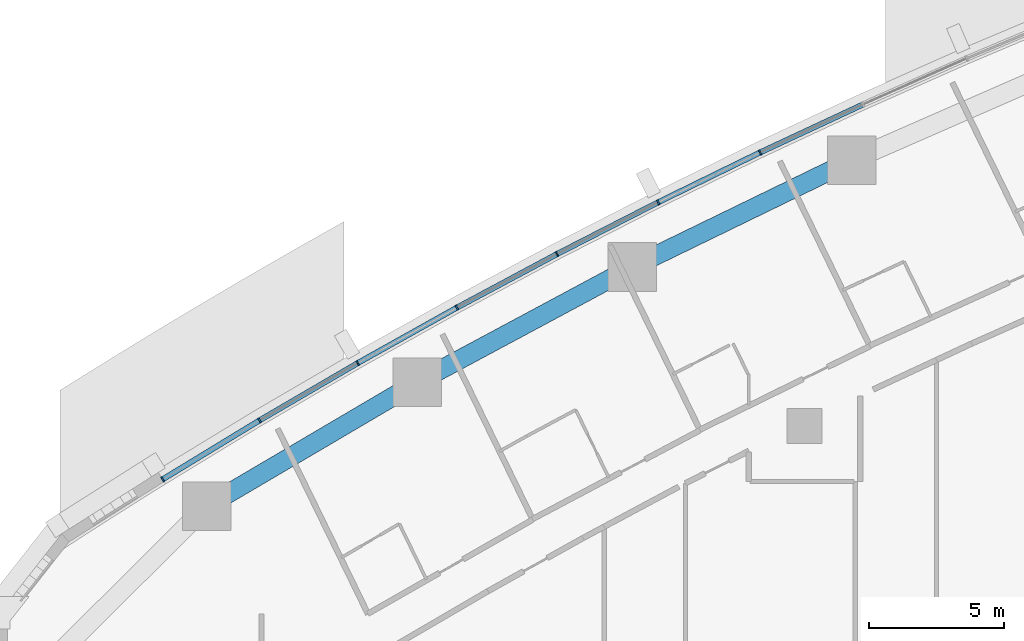
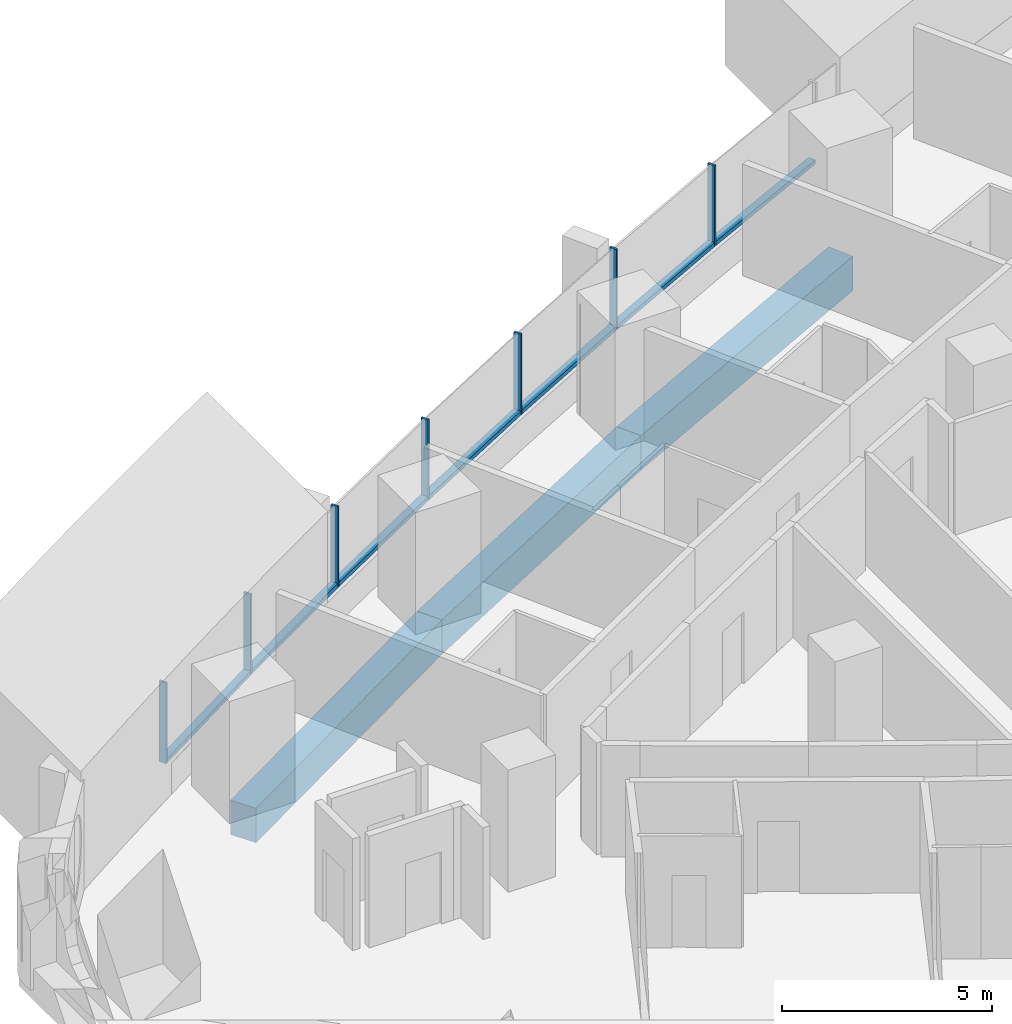
# One storey, part 5 of 19: 14 members, 3 beams, 3 elements without a shape of their own.
"""IFC4 building model written with IfcOpenShell, lengths in metres."""

from ifc_helpers import new_model, si_unit, direction, frame, origin, origin_2d, place, context, subcontext, project, spatial, rectangle, extrude, material, layer, layer_set, material_profile, profile_set, type_object, element, aggregate, save


model = new_model("IFC4")

# Units and contexts
model_context = context("Model", 3, precision=1e-05, world=origin(), true_north=direction((0.0, 1.0)))
body_context = subcontext(model_context, "Body", "Model", "MODEL_VIEW")
ifc_project = project(units=[si_unit("LENGTHUNIT", "METRE"), si_unit("AREAUNIT", "SQUARE_METRE"), si_unit("VOLUMEUNIT", "CUBIC_METRE"), si_unit("PLANEANGLEUNIT", "RADIAN"), si_unit("MASSUNIT", "GRAM", prefix="KILO")], contexts=[model_context])

# Site, building, storey
site_placement = place(None, origin())
site = spatial("IfcSite", under=ifc_project, at=site_placement, CompositionType="ELEMENT")
building_placement = place(site_placement, origin())
building = spatial("IfcBuilding", under=site, at=building_placement, Name="Ostrand Prow Hotel Tower", CompositionType="ELEMENT")
storey_placement = place(building_placement, frame((0.0, 0.0, 68.0)))
storey = spatial("IfcBuildingStorey", under=building, at=storey_placement, Name="L15", CompositionType="ELEMENT", Elevation=68.0)

# Beams
ifc_material_1 = material(Name="Concrete C80/95", Category="concrete")
ifc_material_profile_1 = material_profile(ifc_material_1, rectangle(XDim=0.699951171875, YDim=1.0, at=origin_2d()), Name="RC 700x1000")
ifc_profile_set_1 = profile_set([ifc_material_profile_1], Name="Concrete C80/95")
beam_type = type_object("IfcBeamType", Name="Edge beam 700x1000 C80/95", PredefinedType="SPANDREL", material=ifc_profile_set_1)
beam_1_placement = place(storey_placement, frame((35.7412109375, 18.814208984375, -0.800048828125), z_axis=(-0.899382499202, -0.437162578601, 0.0), x_axis=(0.437162578601, -0.899382499202, 0.0)))
element("IfcBeam", 1, at=beam_1_placement, inside=storey, type_object=beam_type, Name="Edge beam N3-N4", PredefinedType="SPANDREL", context=body_context, shape_type="SweptSolid", body=[
    extrude(rectangle(XDim=0.699951171875, YDim=1.0, at=origin_2d()), origin(), (0.0, 0.0, 1.0), 9.012451171875),
])
beam_2_placement = place(storey_placement, frame((27.635498046875, 14.874267578125, -0.800048828125), z_axis=(-0.881270074696, -0.472613008122, 0.0), x_axis=(0.472613008122, -0.881270074696, 0.0)))
element("IfcBeam", 2, at=beam_2_placement, inside=storey, type_object=beam_type, Name="Edge beam N4-N5", PredefinedType="SPANDREL", context=body_context, shape_type="SweptSolid", body=[
    extrude(rectangle(XDim=0.699951171875, YDim=1.0, at=origin_2d()), origin(), (0.0, 0.0, 1.0), 9.0126953125),
])
beam_3_placement = place(storey_placement, frame((19.69287109375, 10.61474609375, -0.800048828125), z_axis=(-0.861725230108, -0.507375233722, 0.0), x_axis=(0.507375233722, -0.861725230108, 0.0)))
element("IfcBeam", 3, at=beam_3_placement, inside=storey, type_object=beam_type, Name="Edge beam N5-N6", PredefinedType="SPANDREL", context=body_context, shape_type="SweptSolid", body=[
    extrude(rectangle(XDim=0.699951171875, YDim=1.0, at=origin_2d()), origin(), (0.0, 0.0, 1.0), 9.012451171875),
])

# Curtain wall, members
ifc_material_2 = material(Name="Insulated glass in bronze anodised frame", Category="glass")
ifc_layer = layer(ifc_material_2, 0.199951171875)
ifc_layer_set = layer_set([ifc_layer], Name="Insulated glass in bronze anodised frame")
curtain_wall_type = type_object("IfcCurtainWallType", Name="Strip curtain wall, fritted glass over bronze spandrel", PredefinedType="NOTDEFINED", material=ifc_layer_set)
curtain_wall_1_placement = place(storey_placement, origin())
curtain_wall_1 = element("IfcCurtainWall", 4, at=curtain_wall_1_placement, inside=storey, type_object=curtain_wall_type, Name="CW1 run CWN3", PredefinedType="NOTDEFINED")
ifc_material_3 = material(Name="Bronze anodised aluminium", Category="aluminium")
ifc_material_profile_2 = material_profile(ifc_material_3, rectangle(XDim=0.199951171875, YDim=0.06005859375, at=origin_2d()), Name="Mullion 60x200 bronze anodised aluminium")
ifc_profile_set_2 = profile_set([ifc_material_profile_2], Name="Bronze anodised aluminium")
member_type_1 = type_object("IfcMemberType", Name="Mullion 60x200 bronze anodised aluminium", PredefinedType="MULLION", material=ifc_profile_set_2)
member_1_placement = place(storey_placement, frame((32.360595703125, 19.10498046875, 0.89990234375), z_axis=(0.0, 0.0, 1.0), x_axis=(0.439138077204, -0.898419584131, 0.0)))
member_1 = element("IfcMember", 5, at=member_1_placement, type_object=member_type_1, Name="CW1 mullion 2", PredefinedType="MULLION", context=body_context, shape_type="SweptSolid", body=[
    extrude(rectangle(XDim=0.199951171875, YDim=0.06005859375, at=origin_2d()), origin(), (0.0, 0.0, 1.0), 2.35009765625),
])
member_2_placement = place(storey_placement, frame((28.59228515625, 17.262939453125, 0.89990234375), z_axis=(0.0, 0.0, 1.0), x_axis=(0.439138077204, -0.898419584131, 0.0)))
member_2 = element("IfcMember", 6, at=member_2_placement, type_object=member_type_1, Name="CW1 mullion 3", PredefinedType="MULLION", context=body_context, shape_type="SweptSolid", body=[
    extrude(rectangle(XDim=0.199951171875, YDim=0.06005859375, at=origin_2d()), origin(), (0.0, 0.0, 1.0), 2.35009765625),
])

curtain_wall_2_placement = place(storey_placement, origin())
curtain_wall_2 = element("IfcCurtainWall", 7, at=curtain_wall_2_placement, inside=storey, type_object=curtain_wall_type, Name="CW1 run CWN4", PredefinedType="NOTDEFINED")
member_3_placement = place(storey_placement, frame((24.858642578125, 15.35205078125, 0.89990234375), z_axis=(0.0, 0.0, 1.0), x_axis=(0.471899992481, -0.881652083929, 0.0)))
member_3 = element("IfcMember", 8, at=member_3_placement, type_object=member_type_1, Name="CW1 mullion 2", PredefinedType="MULLION", context=body_context, shape_type="SweptSolid", body=[
    extrude(rectangle(XDim=0.199951171875, YDim=0.06005859375, at=origin_2d()), origin(), (0.0, 0.0, 1.0), 2.35009765625),
])
member_4_placement = place(storey_placement, frame((21.160888671875, 13.372802734375, 0.89990234375), z_axis=(0.0, 0.0, 1.0), x_axis=(0.488043996167, -0.872819029241, 0.0)))
member_4 = element("IfcMember", 9, at=member_4_placement, type_object=member_type_1, Name="CW1 mullion 3", PredefinedType="MULLION", context=body_context, shape_type="SweptSolid", body=[
    extrude(rectangle(XDim=0.199951171875, YDim=0.06005859375, at=origin_2d()), origin(), (0.0, 0.0, 1.0), 2.35009765625),
])
member_5_placement = place(storey_placement, frame((17.5, 11.325927734375, 0.89990234375), z_axis=(0.0, 0.0, 1.0), x_axis=(0.488043996167, -0.872819029241, 0.0)))
member_5 = element("IfcMember", 10, at=member_5_placement, type_object=member_type_1, Name="CW1 mullion 4", PredefinedType="MULLION", context=body_context, shape_type="SweptSolid", body=[
    extrude(rectangle(XDim=0.199951171875, YDim=0.06005859375, at=origin_2d()), origin(), (0.0, 0.0, 1.0), 2.35009765625),
])

curtain_wall_3_placement = place(storey_placement, origin())
curtain_wall_3 = element("IfcCurtainWall", 11, at=curtain_wall_3_placement, inside=storey, type_object=curtain_wall_type, Name="CW1 run CWN5", PredefinedType="NOTDEFINED")
member_6_placement = place(storey_placement, frame((13.87744140625, 9.2119140625, 0.89990234375), z_axis=(0.0, 0.0, 1.0), x_axis=(0.519830761515, -0.854269266322, 0.0)))
member_6 = element("IfcMember", 12, at=member_6_placement, type_object=member_type_1, Name="CW1 mullion 2", PredefinedType="MULLION", context=body_context, shape_type="SweptSolid", body=[
    extrude(rectangle(XDim=0.199951171875, YDim=0.06005859375, at=origin_2d()), origin(), (0.0, 0.0, 1.0), 2.35009765625),
])
member_7_placement = place(storey_placement, frame((10.29443359375, 7.031494140625, 0.89990234375), z_axis=(0.0, 0.0, 1.0), x_axis=(0.519830761515, -0.854269266322, 0.0)))
member_7 = element("IfcMember", 13, at=member_7_placement, type_object=member_type_1, Name="CW1 mullion 3", PredefinedType="MULLION", context=body_context, shape_type="SweptSolid", body=[
    extrude(rectangle(XDim=0.199951171875, YDim=0.06005859375, at=origin_2d()), origin(), (0.0, 0.0, 1.0), 2.35009765625),
])

# Member
ifc_material_4 = material(Name="Bronze anodised aluminium", Category="aluminium")
ifc_material_profile_3 = material_profile(ifc_material_4, rectangle(XDim=0.199951171875, YDim=0.1201171875, at=origin_2d()), Name="Transom 120x200 bronze anodised aluminium")
ifc_profile_set_3 = profile_set([ifc_material_profile_3], Name="Bronze anodised aluminium")
member_type_2 = type_object("IfcMemberType", Name="Transom 120x200 bronze anodised aluminium", PredefinedType="USERDEFINED", material=ifc_profile_set_3)
member_8_placement = place(storey_placement, frame((36.135009765625, 20.864501953125, 0.9599609375), z_axis=(-0.906338458793, -0.422552479714, 0.0), x_axis=(0.422552479714, -0.906338458793, 0.0)))
member_8 = element("IfcMember", 14, at=member_8_placement, type_object=member_type_2, Name="CW1 transom 1.1", ObjectType="TRANSOM", PredefinedType="USERDEFINED", context=body_context, shape_type="SweptSolid", body=[
    extrude(rectangle(XDim=0.199951171875, YDim=0.1201171875, at=origin_2d()), origin(), (0.0, 0.0, 1.0), 4.134521484375),
])

member_9_placement = place(storey_placement, frame((32.33349609375, 19.091796875, 0.9599609375), z_axis=(-0.898395234758, -0.439187889364, 0.0), x_axis=(0.439187889364, -0.898395234758, 0.0)))
member_9 = element("IfcMember", 15, at=member_9_placement, type_object=member_type_2, Name="CW1 transom 2.1", ObjectType="TRANSOM", PredefinedType="USERDEFINED", context=body_context, shape_type="SweptSolid", body=[
    extrude(rectangle(XDim=0.199951171875, YDim=0.1201171875, at=origin_2d()), origin(), (0.0, 0.0, 1.0), 4.13427734375),
])

aggregate(curtain_wall_1, [member_1, member_2, member_8, member_9])

member_10_placement = place(storey_placement, frame((28.565673828125, 17.249267578125, 0.9599609375), z_axis=(-0.890182999343, -0.455603147136, 0.0), x_axis=(0.455603147136, -0.890182999343, 0.0)))
member_10 = element("IfcMember", 16, at=member_10_placement, type_object=member_type_2, Name="CW1 transom 1.1", ObjectType="TRANSOM", PredefinedType="USERDEFINED", context=body_context, shape_type="SweptSolid", body=[
    extrude(rectangle(XDim=0.199951171875, YDim=0.1201171875, at=origin_2d()), origin(), (0.0, 0.0, 1.0), 4.13427734375),
])

member_11_placement = place(storey_placement, frame((24.832275390625, 15.337890625, 0.9599609375), z_axis=(-0.881657241639, -0.471890356191, 0.0), x_axis=(0.471890356191, -0.881657241639, 0.0)))
member_11 = element("IfcMember", 17, at=member_11_placement, type_object=member_type_2, Name="CW1 transom 2.1", ObjectType="TRANSOM", PredefinedType="USERDEFINED", context=body_context, shape_type="SweptSolid", body=[
    extrude(rectangle(XDim=0.199951171875, YDim=0.1201171875, at=origin_2d()), origin(), (0.0, 0.0, 1.0), 4.13427734375),
])

member_12_placement = place(storey_placement, frame((21.134765625, 13.358154296875, 0.9599609375), z_axis=(-0.872842137405, -0.488002667175, 0.0), x_axis=(0.488002667175, -0.872842137405, 0.0)))
member_12 = element("IfcMember", 18, at=member_12_placement, type_object=member_type_2, Name="CW1 transom 3.1", ObjectType="TRANSOM", PredefinedType="USERDEFINED", context=body_context, shape_type="SweptSolid", body=[
    extrude(rectangle(XDim=0.199951171875, YDim=0.1201171875, at=origin_2d()), origin(), (0.0, 0.0, 1.0), 4.13427734375),
])

aggregate(curtain_wall_2, [member_3, member_4, member_5, member_10, member_11, member_12])

member_13_placement = place(storey_placement, frame((17.47412109375, 11.310791015625, 0.9599609375), z_axis=(-0.863697501622, -0.504010541251, 0.0), x_axis=(0.504010541251, -0.863697501622, 0.0)))
member_13 = element("IfcMember", 19, at=member_13_placement, type_object=member_type_2, Name="CW1 transom 1.1", ObjectType="TRANSOM", PredefinedType="USERDEFINED", context=body_context, shape_type="SweptSolid", body=[
    extrude(rectangle(XDim=0.199951171875, YDim=0.1201171875, at=origin_2d()), origin(), (0.0, 0.0, 1.0), 4.13427734375),
])

member_14_placement = place(storey_placement, frame((13.851806640625, 9.1962890625, 0.9599609375), z_axis=(-0.8542612678, -0.519843905741, 0.0), x_axis=(0.519843905741, -0.8542612678, 0.0)))
member_14 = element("IfcMember", 20, at=member_14_placement, type_object=member_type_2, Name="CW1 transom 2.1", ObjectType="TRANSOM", PredefinedType="USERDEFINED", context=body_context, shape_type="SweptSolid", body=[
    extrude(rectangle(XDim=0.199951171875, YDim=0.1201171875, at=origin_2d()), origin(), (0.0, 0.0, 1.0), 4.13427734375),
])

aggregate(curtain_wall_3, [member_6, member_7, member_13, member_14])

save(model, "model.ifc")
